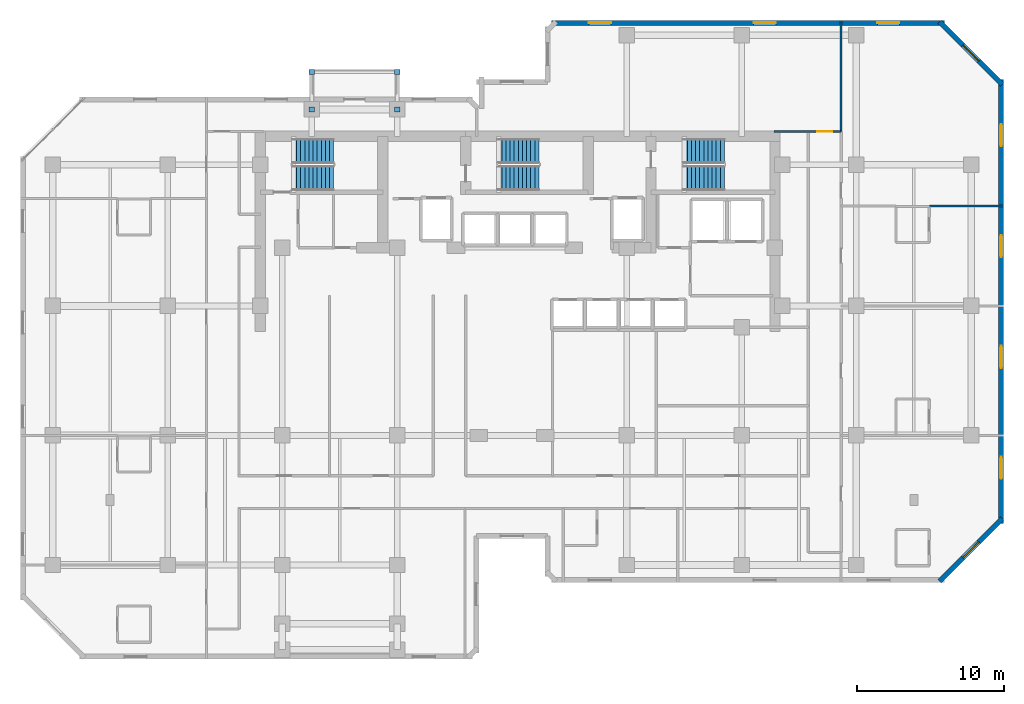
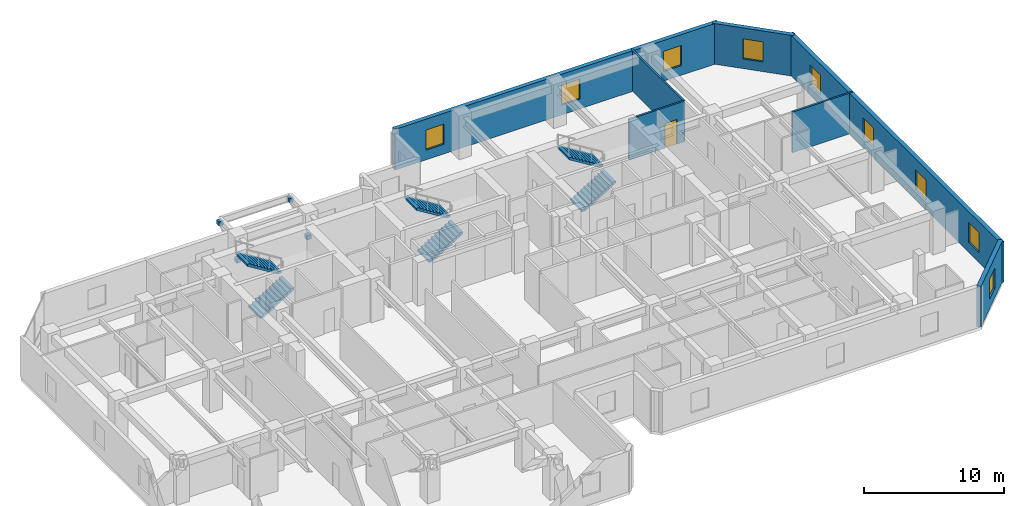
# One storey, part 8 of 9: 9 windows, 7 walls, 6 stair flights, 4 discrete accessories, 1 door, 10 openings, 3 elements without a shape of their own.
"""IFC4 building model written with IfcOpenShell, lengths in metres."""

from ifc_helpers import new_model, si_unit, direction, frame, frame_2d, origin, origin_2d, place, context, subcontext, project, spatial, polyline, rectangle, outline, extrude, material, layer, layer_set, type_object, element, fill, aggregate, save


model = new_model("IFC4")

# Units and contexts
model_context = context("Model", 3, precision=1e-05, world=origin(), true_north=direction((0.0, 1.0)))
body_context = subcontext(model_context, "Body", "Model", "MODEL_VIEW")
ifc_project = project(units=[si_unit("LENGTHUNIT", "METRE"), si_unit("AREAUNIT", "SQUARE_METRE"), si_unit("VOLUMEUNIT", "CUBIC_METRE"), si_unit("PLANEANGLEUNIT", "RADIAN"), si_unit("MASSUNIT", "GRAM", prefix="KILO")], contexts=[model_context])

# Site, building, storey
site_placement = place(None, origin())
site = spatial("IfcSite", under=ifc_project, at=site_placement, CompositionType="ELEMENT")
building_placement = place(site_placement, origin())
building = spatial("IfcBuilding", under=site, at=building_placement, Name="Kestravale Grand Hotel", CompositionType="ELEMENT")
storey_placement = place(building_placement, frame((0.0, 0.0, 176.39990234375)))
storey = spatial("IfcBuildingStorey", under=building, at=storey_placement, Name="L44", CompositionType="ELEMENT", Elevation=176.39990234375)

# Wall, opening, window
ifc_material_1 = material(Name="Precast concrete f'c 45 MPa", Category="concrete")
ifc_layer_1 = layer(ifc_material_1, 0.340087890625)
ifc_layer_set_1 = layer_set([ifc_layer_1], Name="EW-PREC-340")
wall_type_1 = type_object("IfcWallType", Name="EW-PREC-340", PredefinedType="SOLIDWALL", material=ifc_layer_set_1)
wall_1_placement = place(storey_placement, frame((68.051513671875, 10.091796875, 0.0), z_axis=(0.0, 0.0, 1.0), x_axis=(0.707106781187, 0.707106781187, 0.0)))
wall_1 = element("IfcWall", 1, at=wall_1_placement, inside=storey, type_object=wall_type_1, Name="L44 fluted precast facade wall 8", PredefinedType="SOLIDWALL", context=body_context, shape_type="SweptSolid", body=[
    extrude(rectangle(XDim=6.019775390625, YDim=0.340087890625, at=frame_2d((3.009765625, 0.0))), origin(), (0.0, 0.0, 1.0), 3.550048828125),
])
opening_1_placement = place(wall_1_placement, frame((2.260009765625, 0.0, 0.85009765625)))
opening_1 = element("IfcOpeningElement", 2, at=opening_1_placement, cuts=wall_1, Name="Opening W-GUEST-1500", PredefinedType="OPENING", context=body_context, shape_type="SweptSolid", body=[
    extrude(rectangle(XDim=1.5, YDim=1.75, at=frame_2d((0.75, 0.875))), frame((0.0, 0.179931640625, 0.0), z_axis=(0.0, -1.0, 0.0), x_axis=(1.0, 0.0, 0.0)), (0.0, 0.0, 1.0), 0.360107421875),
])
ifc_material_2 = material(Name="Insulated low-E double glazing in aluminium frame", Category="aluminium")
window_type = type_object("IfcWindowType", Name="W-GUEST-1500", PartitioningType="SINGLE_PANEL", PredefinedType="WINDOW", material=ifc_material_2)
window_1_placement = place(opening_1_placement, origin())
window_1 = element("IfcWindow", 3, at=window_1_placement, inside=storey, type_object=window_type, Name="L44 exterior window 8.1", OverallHeight=1.75, OverallWidth=1.5, PartitioningType="SINGLE_PANEL", PredefinedType="WINDOW", context=body_context, shape_type="SweptSolid", body=[
    extrude(rectangle(XDim=1.5, YDim=1.75, at=frame_2d((0.75, 0.875))), frame((0.0, 0.030029296875, 0.0), z_axis=(0.0, -1.0, 0.0), x_axis=(1.0, 0.0, 0.0)), (0.0, 0.0, 1.0), 0.06005859375),
])
fill(opening_1, window_1)

# Wall, openings, windows
wall_2_placement = place(storey_placement, frame((72.22998046875, 14.030029296875, 0.0), z_axis=(0.0, 0.0, 1.0), x_axis=(0.0, 1.0, 0.0)))
wall_2 = element("IfcWall", 4, at=wall_2_placement, inside=storey, type_object=wall_type_1, Name="L44 fluted precast facade wall 9", PredefinedType="SOLIDWALL", context=body_context, shape_type="SweptSolid", body=[
    extrude(rectangle(XDim=30.139892578125, YDim=0.340087890625, at=frame_2d((15.06982421875, 0.0))), origin(), (0.0, 0.0, 1.0), 3.550048828125),
])
opening_2_placement = place(wall_2_placement, frame((3.017578125, 0.0, 0.85009765625)))
opening_2 = element("IfcOpeningElement", 5, at=opening_2_placement, cuts=wall_2, Name="Opening W-GUEST-1500", PredefinedType="OPENING", context=body_context, shape_type="SweptSolid", body=[
    extrude(rectangle(XDim=1.5, YDim=1.75, at=frame_2d((0.75, 0.875))), frame((0.0, 0.179931640625, 0.0), z_axis=(0.0, -1.0, 0.0), x_axis=(1.0, 0.0, 0.0)), (0.0, 0.0, 1.0), 0.360107421875),
])
opening_3_placement = place(wall_2_placement, frame((10.552490234375, 0.0, 0.85009765625)))
opening_3 = element("IfcOpeningElement", 6, at=opening_3_placement, cuts=wall_2, Name="Opening W-GUEST-1500", PredefinedType="OPENING", context=body_context, shape_type="SweptSolid", body=[
    extrude(rectangle(XDim=1.5, YDim=1.75, at=frame_2d((0.75, 0.875))), frame((0.0, 0.179931640625, 0.0), z_axis=(0.0, -1.0, 0.0), x_axis=(1.0, 0.0, 0.0)), (0.0, 0.0, 1.0), 0.360107421875),
])
opening_4_placement = place(wall_2_placement, frame((18.08740234375, 0.0, 0.85009765625)))
opening_4 = element("IfcOpeningElement", 7, at=opening_4_placement, cuts=wall_2, Name="Opening W-GUEST-1500", PredefinedType="OPENING", context=body_context, shape_type="SweptSolid", body=[
    extrude(rectangle(XDim=1.5, YDim=1.75, at=frame_2d((0.75, 0.875))), frame((0.0, 0.179931640625, 0.0), z_axis=(0.0, -1.0, 0.0), x_axis=(1.0, 0.0, 0.0)), (0.0, 0.0, 1.0), 0.360107421875),
])
opening_5_placement = place(wall_2_placement, frame((25.62255859375, 0.0, 0.85009765625)))
opening_5 = element("IfcOpeningElement", 8, at=opening_5_placement, cuts=wall_2, Name="Opening W-GUEST-1500", PredefinedType="OPENING", context=body_context, shape_type="SweptSolid", body=[
    extrude(rectangle(XDim=1.5, YDim=1.75, at=frame_2d((0.75, 0.875))), frame((0.0, 0.179931640625, 0.0), z_axis=(0.0, -1.0, 0.0), x_axis=(1.0, 0.0, 0.0)), (0.0, 0.0, 1.0), 0.360107421875),
])
window_2_placement = place(opening_2_placement, origin())
window_2 = element("IfcWindow", 9, at=window_2_placement, inside=storey, type_object=window_type, Name="L44 exterior window 9.1", OverallHeight=1.75, OverallWidth=1.5, PartitioningType="SINGLE_PANEL", PredefinedType="WINDOW", context=body_context, shape_type="SweptSolid", body=[
    extrude(rectangle(XDim=1.5, YDim=1.75, at=frame_2d((0.75, 0.875))), frame((0.0, 0.030029296875, 0.0), z_axis=(0.0, -1.0, 0.0), x_axis=(1.0, 0.0, 0.0)), (0.0, 0.0, 1.0), 0.06005859375),
])
fill(opening_2, window_2)
window_3_placement = place(opening_3_placement, origin())
window_3 = element("IfcWindow", 10, at=window_3_placement, inside=storey, type_object=window_type, Name="L44 exterior window 9.2", OverallHeight=1.75, OverallWidth=1.5, PartitioningType="SINGLE_PANEL", PredefinedType="WINDOW", context=body_context, shape_type="SweptSolid", body=[
    extrude(rectangle(XDim=1.5, YDim=1.75, at=frame_2d((0.75, 0.875))), frame((0.0, 0.030029296875, 0.0), z_axis=(0.0, -1.0, 0.0), x_axis=(1.0, 0.0, 0.0)), (0.0, 0.0, 1.0), 0.06005859375),
])
fill(opening_3, window_3)
window_4_placement = place(opening_4_placement, origin())
window_4 = element("IfcWindow", 11, at=window_4_placement, inside=storey, type_object=window_type, Name="L44 exterior window 9.3", OverallHeight=1.75, OverallWidth=1.5, PartitioningType="SINGLE_PANEL", PredefinedType="WINDOW", context=body_context, shape_type="SweptSolid", body=[
    extrude(rectangle(XDim=1.5, YDim=1.75, at=frame_2d((0.75, 0.875))), frame((0.0, 0.030029296875, 0.0), z_axis=(0.0, -1.0, 0.0), x_axis=(1.0, 0.0, 0.0)), (0.0, 0.0, 1.0), 0.06005859375),
])
fill(opening_4, window_4)
window_5_placement = place(opening_5_placement, origin())
window_5 = element("IfcWindow", 12, at=window_5_placement, inside=storey, type_object=window_type, Name="L44 exterior window 9.4", OverallHeight=1.75, OverallWidth=1.5, PartitioningType="SINGLE_PANEL", PredefinedType="WINDOW", context=body_context, shape_type="SweptSolid", body=[
    extrude(rectangle(XDim=1.5, YDim=1.75, at=frame_2d((0.75, 0.875))), frame((0.0, 0.030029296875, 0.0), z_axis=(0.0, -1.0, 0.0), x_axis=(1.0, 0.0, 0.0)), (0.0, 0.0, 1.0), 0.06005859375),
])
fill(opening_5, window_5)

# Wall, opening, window
wall_3_placement = place(storey_placement, frame((72.30810546875, 43.8515625, 0.0), z_axis=(0.0, 0.0, 1.0), x_axis=(-0.707106781187, 0.707106781187, 0.0)))
wall_3 = element("IfcWall", 13, at=wall_3_placement, inside=storey, type_object=wall_type_1, Name="L44 fluted precast facade wall 10", PredefinedType="SOLIDWALL", context=body_context, shape_type="SweptSolid", body=[
    extrude(rectangle(XDim=6.019775390625, YDim=0.340087890625, at=frame_2d((3.009765625, 0.0))), origin(), (0.0, 0.0, 1.0), 3.550048828125),
])
opening_6_placement = place(wall_3_placement, frame((2.260009765625, 0.0, 0.85009765625)))
opening_6 = element("IfcOpeningElement", 14, at=opening_6_placement, cuts=wall_3, Name="Opening W-GUEST-1500", PredefinedType="OPENING", context=body_context, shape_type="SweptSolid", body=[
    extrude(rectangle(XDim=1.5, YDim=1.75, at=frame_2d((0.75, 0.875))), frame((0.0, 0.179931640625, 0.0), z_axis=(0.0, -1.0, 0.0), x_axis=(1.0, 0.0, 0.0)), (0.0, 0.0, 1.0), 0.360107421875),
])
window_6_placement = place(opening_6_placement, origin())
window_6 = element("IfcWindow", 15, at=window_6_placement, inside=storey, type_object=window_type, Name="L44 exterior window 10.1", OverallHeight=1.75, OverallWidth=1.5, PartitioningType="SINGLE_PANEL", PredefinedType="WINDOW", context=body_context, shape_type="SweptSolid", body=[
    extrude(rectangle(XDim=1.5, YDim=1.75, at=frame_2d((0.75, 0.875))), frame((0.0, 0.030029296875, 0.0), z_axis=(0.0, -1.0, 0.0), x_axis=(1.0, 0.0, 0.0)), (0.0, 0.0, 1.0), 0.06005859375),
])
fill(opening_6, window_6)

# Wall, openings, windows
wall_4_placement = place(storey_placement, frame((68.3701171875, 48.030029296875, 0.0), z_axis=(0.0, 0.0, 1.0), x_axis=(-1.0, 0.0, 0.0)))
wall_4 = element("IfcWall", 16, at=wall_4_placement, inside=storey, type_object=wall_type_1, Name="L44 fluted precast facade wall 11", PredefinedType="SOLIDWALL", context=body_context, shape_type="SweptSolid", body=[
    extrude(rectangle(XDim=26.690185546875, YDim=0.340087890625, at=frame_2d((13.34521484375, 0.0))), origin(), (0.0, 0.0, 1.0), 3.550048828125),
])
opening_7_placement = place(wall_4_placement, frame((3.04833984375, 0.0, 0.85009765625)))
opening_7 = element("IfcOpeningElement", 17, at=opening_7_placement, cuts=wall_4, Name="Opening W-GUEST-1500", PredefinedType="OPENING", context=body_context, shape_type="SweptSolid", body=[
    extrude(rectangle(XDim=1.5, YDim=1.75, at=frame_2d((0.75, 0.875))), frame((0.0, 0.179931640625, 0.0), z_axis=(0.0, -1.0, 0.0), x_axis=(1.0, 0.0, 0.0)), (0.0, 0.0, 1.0), 0.360107421875),
])
opening_8_placement = place(wall_4_placement, frame((11.445068359375, 0.0, 0.85009765625)))
opening_8 = element("IfcOpeningElement", 18, at=opening_8_placement, cuts=wall_4, Name="Opening W-GUEST-1500", PredefinedType="OPENING", context=body_context, shape_type="SweptSolid", body=[
    extrude(rectangle(XDim=1.5, YDim=1.75, at=frame_2d((0.75, 0.875))), frame((0.0, 0.179931640625, 0.0), z_axis=(0.0, -1.0, 0.0), x_axis=(1.0, 0.0, 0.0)), (0.0, 0.0, 1.0), 0.360107421875),
])
opening_9_placement = place(wall_4_placement, frame((22.6416015625, 0.0, 0.85009765625)))
opening_9 = element("IfcOpeningElement", 19, at=opening_9_placement, cuts=wall_4, Name="Opening W-GUEST-1500", PredefinedType="OPENING", context=body_context, shape_type="SweptSolid", body=[
    extrude(rectangle(XDim=1.5, YDim=1.75, at=frame_2d((0.75, 0.875))), frame((0.0, 0.179931640625, 0.0), z_axis=(0.0, -1.0, 0.0), x_axis=(1.0, 0.0, 0.0)), (0.0, 0.0, 1.0), 0.360107421875),
])
window_7_placement = place(opening_7_placement, origin())
window_7 = element("IfcWindow", 20, at=window_7_placement, inside=storey, type_object=window_type, Name="L44 exterior window 11.1", OverallHeight=1.75, OverallWidth=1.5, PartitioningType="SINGLE_PANEL", PredefinedType="WINDOW", context=body_context, shape_type="SweptSolid", body=[
    extrude(rectangle(XDim=1.5, YDim=1.75, at=frame_2d((0.75, 0.875))), frame((0.0, 0.030029296875, 0.0), z_axis=(0.0, -1.0, 0.0), x_axis=(1.0, 0.0, 0.0)), (0.0, 0.0, 1.0), 0.06005859375),
])
fill(opening_7, window_7)
window_8_placement = place(opening_8_placement, origin())
window_8 = element("IfcWindow", 21, at=window_8_placement, inside=storey, type_object=window_type, Name="L44 exterior window 11.2", OverallHeight=1.75, OverallWidth=1.5, PartitioningType="SINGLE_PANEL", PredefinedType="WINDOW", context=body_context, shape_type="SweptSolid", body=[
    extrude(rectangle(XDim=1.5, YDim=1.75, at=frame_2d((0.75, 0.875))), frame((0.0, 0.030029296875, 0.0), z_axis=(0.0, -1.0, 0.0), x_axis=(1.0, 0.0, 0.0)), (0.0, 0.0, 1.0), 0.06005859375),
])
fill(opening_8, window_8)
window_9_placement = place(opening_9_placement, origin())
window_9 = element("IfcWindow", 22, at=window_9_placement, inside=storey, type_object=window_type, Name="L44 exterior window 11.3", OverallHeight=1.75, OverallWidth=1.5, PartitioningType="SINGLE_PANEL", PredefinedType="WINDOW", context=body_context, shape_type="SweptSolid", body=[
    extrude(rectangle(XDim=1.5, YDim=1.75, at=frame_2d((0.75, 0.875))), frame((0.0, 0.030029296875, 0.0), z_axis=(0.0, -1.0, 0.0), x_axis=(1.0, 0.0, 0.0)), (0.0, 0.0, 1.0), 0.06005859375),
])
fill(opening_9, window_9)

# Wall, opening, door
ifc_material_3 = material(Name="Double-stud STC 52 acoustic demising partition", Category="other")
ifc_layer_2 = layer(ifc_material_3, 0.14990234375)
ifc_layer_set_2 = layer_set([ifc_layer_2], Name="IW-UNIT-150")
wall_type_2 = type_object("IfcWallType", Name="IW-UNIT-150", PredefinedType="PARTITIONING", material=ifc_layer_set_2)
wall_5_placement = place(storey_placement, frame((56.800048828125, 40.64990234375, 0.0), z_axis=(0.0, 0.0, 1.0), x_axis=(1.0, 0.0, 0.0)))
wall_5 = element("IfcWall", 23, at=wall_5_placement, inside=storey, type_object=wall_type_2, Name="W-L44-SE-N", PredefinedType="PARTITIONING", context=body_context, shape_type="SweptSolid", body=[
    extrude(rectangle(XDim=4.56005859375, YDim=0.14990234375, at=frame_2d((2.280029296875, 0.0))), origin(), (0.0, 0.0, 1.0), 3.550048828125),
])
opening_10_placement = place(wall_5_placement, frame((2.949951171875, 0.0, 0.0)))
opening_10 = element("IfcOpeningElement", 24, at=opening_10_placement, cuts=wall_5, Name="Opening D-GUEST-1000", PredefinedType="OPENING", context=body_context, shape_type="SweptSolid", body=[
    extrude(rectangle(XDim=1.0, YDim=2.14990234375, at=frame_2d((0.5, 1.074951171875))), frame((0.0, 0.0849609375, 0.0), z_axis=(0.0, -1.0, 0.0), x_axis=(1.0, 0.0, 0.0)), (0.0, 0.0, 1.0), 0.169921875),
])
ifc_material_4 = material(Name="Accessible walnut veneer hotel entrance fire door", Category="wood")
door_type = type_object("IfcDoorType", Name="D-GUEST-1000", OperationType="NOTDEFINED", PredefinedType="DOOR", material=ifc_material_4)
door_placement = place(opening_10_placement, origin())
door = element("IfcDoor", 25, at=door_placement, inside=storey, type_object=door_type, Name="L44 NE Gallery Door", OperationType="SINGLE_SWING_LEFT", OverallHeight=2.14990234375, OverallWidth=1.0, PredefinedType="DOOR", context=body_context, shape_type="SweptSolid", body=[
    extrude(rectangle(XDim=1.0, YDim=2.14990234375, at=frame_2d((0.5, 1.074951171875))), frame((0.0, 0.02490234375, 0.0), z_axis=(0.0, -1.0, 0.0), x_axis=(1.0, 0.0, 0.0)), (0.0, 0.0, 1.0), 0.050048828125),
])
fill(opening_10, door)

# Walls
wall_6_placement = place(storey_placement, frame((61.360107421875, 40.64990234375, 0.0), z_axis=(0.0, 0.0, 1.0), x_axis=(0.0, 1.0, 0.0)))
element("IfcWall", 26, at=wall_6_placement, inside=storey, type_object=wall_type_2, Name="W-L44-NGE-E", PredefinedType="PARTITIONING", context=body_context, shape_type="SweptSolid", body=[
    extrude(rectangle(XDim=7.530029296875, YDim=0.14990234375, at=frame_2d((3.76513671875, 0.0))), origin(), (0.0, 0.0, 1.0), 3.550048828125),
])
wall_7_placement = place(storey_placement, frame((67.35009765625, 35.60009765625, 0.0), z_axis=(0.0, 0.0, 1.0), x_axis=(1.0, 0.0, 0.0)))
element("IfcWall", 27, at=wall_7_placement, inside=storey, type_object=wall_type_2, Name="W-L44-EW-3", PredefinedType="PARTITIONING", context=body_context, shape_type="SweptSolid", body=[
    extrude(rectangle(XDim=5.02978515625, YDim=0.14990234375, at=frame_2d((2.514892578125, 0.0))), origin(), (0.0, 0.0, 1.0), 3.550048828125),
])

# Stair, stair flights
ifc_material_5 = material(Name="Concrete f'c 45 MPa", Category="concrete")
stair_type = type_object("IfcStairType", Name="ST-CORE-380", PredefinedType="HALF_TURN_STAIR", material=ifc_material_5)
stair_1_placement = place(storey_placement, origin())
stair_1 = element("IfcStair", 28, at=stair_1_placement, inside=storey, type_object=stair_type, Name="L44 ST-1", PredefinedType="HALF_TURN_STAIR")
ifc_material_6 = material(Name="Concrete f'c 45 MPa", Category="concrete")
stair_flight_type = type_object("IfcStairFlightType", Name="STF-CORE-380", PredefinedType="STRAIGHT", material=ifc_material_6)
stair_flight_1_placement = place(storey_placement, frame((24.080078125, 37.489990234375, 0.0), z_axis=(0.0, 0.0, 1.0), x_axis=(1.0, 0.0, 0.0)))
stair_flight_1 = element("IfcStairFlight", 29, at=stair_flight_1_placement, type_object=stair_flight_type, Name="ST-1 flight 1", NumberOfRisers=11, NumberOfTreads=10, PredefinedType="STRAIGHT", RiserHeight=0.172727273, TreadLength=0.28, context=body_context, shape_type="SweptSolid", body=[
    extrude(outline(polyline([(0.0, 0.0), (0.0, 0.172607421875), (0.280029296875, 0.172607421875), (0.280029296875, 0.345458984375), (0.56005859375, 0.345458984375), (0.56005859375, 0.51806640625), (0.840087890625, 0.51806640625), (0.840087890625, 0.69091796875), (1.1201171875, 0.69091796875), (1.1201171875, 0.863525390625), (1.39990234375, 0.863525390625), (1.39990234375, 1.036376953125), (1.679931640625, 1.036376953125), (1.679931640625, 1.208984375), (1.9599609375, 1.208984375), (1.9599609375, 1.3818359375), (2.239990234375, 1.3818359375), (2.239990234375, 1.554443359375), (2.52001953125, 1.554443359375), (2.52001953125, 1.727294921875), (2.800048828125, 1.727294921875), (2.800048828125, 1.89990234375), (2.800048828125, 1.551025390625), (0.285400390625, 0.0), (0.0, 0.0)])), frame((0.0, 0.83984375, 0.0), z_axis=(0.0, -1.0, 0.0), x_axis=(1.0, 0.0, 0.0)), (0.0, 0.0, 1.0), 1.679931640625),
])
stair_flight_2_placement = place(storey_placement, frame((26.8798828125, 39.320068359375, 1.900146484375), z_axis=(0.0, 0.0, 1.0), x_axis=(-1.0, 0.0, 0.0)))
stair_flight_2 = element("IfcStairFlight", 30, at=stair_flight_2_placement, type_object=stair_flight_type, Name="ST-1 flight 2", NumberOfRisers=11, NumberOfTreads=10, PredefinedType="STRAIGHT", RiserHeight=0.172727273, TreadLength=0.28, context=body_context, shape_type="SweptSolid", body=[
    extrude(outline(polyline([(0.0, 0.0), (0.0, 0.172607421875), (0.280029296875, 0.172607421875), (0.280029296875, 0.345458984375), (0.56005859375, 0.345458984375), (0.56005859375, 0.51806640625), (0.840087890625, 0.51806640625), (0.840087890625, 0.69091796875), (1.1201171875, 0.69091796875), (1.1201171875, 0.863525390625), (1.39990234375, 0.863525390625), (1.39990234375, 1.036376953125), (1.679931640625, 1.036376953125), (1.679931640625, 1.208984375), (1.9599609375, 1.208984375), (1.9599609375, 1.3818359375), (2.239990234375, 1.3818359375), (2.239990234375, 1.554443359375), (2.52001953125, 1.554443359375), (2.52001953125, 1.727294921875), (2.800048828125, 1.727294921875), (2.800048828125, 1.89990234375), (2.800048828125, 1.551025390625), (0.285400390625, 0.0), (0.0, 0.0)])), frame((0.0, 0.83984375, 0.0), z_axis=(0.0, -1.0, 0.0), x_axis=(1.0, 0.0, 0.0)), (0.0, 0.0, 1.0), 1.679931640625),
])
aggregate(stair_1, [stair_flight_1, stair_flight_2])

stair_2_placement = place(storey_placement, origin())
stair_2 = element("IfcStair", 31, at=stair_2_placement, inside=storey, type_object=stair_type, Name="L44 ST-2", PredefinedType="HALF_TURN_STAIR")
stair_flight_3_placement = place(storey_placement, frame((38.030029296875, 37.489990234375, 0.0), z_axis=(0.0, 0.0, 1.0), x_axis=(1.0, 0.0, 0.0)))
stair_flight_3 = element("IfcStairFlight", 32, at=stair_flight_3_placement, type_object=stair_flight_type, Name="ST-2 flight 1", NumberOfRisers=11, NumberOfTreads=10, PredefinedType="STRAIGHT", RiserHeight=0.172727273, TreadLength=0.28, context=body_context, shape_type="SweptSolid", body=[
    extrude(outline(polyline([(0.0, 0.0), (0.0, 0.172607421875), (0.280029296875, 0.172607421875), (0.280029296875, 0.345458984375), (0.56005859375, 0.345458984375), (0.56005859375, 0.51806640625), (0.840087890625, 0.51806640625), (0.840087890625, 0.69091796875), (1.1201171875, 0.69091796875), (1.1201171875, 0.863525390625), (1.39990234375, 0.863525390625), (1.39990234375, 1.036376953125), (1.679931640625, 1.036376953125), (1.679931640625, 1.208984375), (1.9599609375, 1.208984375), (1.9599609375, 1.3818359375), (2.239990234375, 1.3818359375), (2.239990234375, 1.554443359375), (2.52001953125, 1.554443359375), (2.52001953125, 1.727294921875), (2.800048828125, 1.727294921875), (2.800048828125, 1.89990234375), (2.800048828125, 1.551025390625), (0.285400390625, 0.0), (0.0, 0.0)])), frame((0.0, 0.83984375, 0.0), z_axis=(0.0, -1.0, 0.0), x_axis=(1.0, 0.0, 0.0)), (0.0, 0.0, 1.0), 1.679931640625),
])
stair_flight_4_placement = place(storey_placement, frame((40.830078125, 39.320068359375, 1.900146484375), z_axis=(0.0, 0.0, 1.0), x_axis=(-1.0, 0.0, 0.0)))
stair_flight_4 = element("IfcStairFlight", 33, at=stair_flight_4_placement, type_object=stair_flight_type, Name="ST-2 flight 2", NumberOfRisers=11, NumberOfTreads=10, PredefinedType="STRAIGHT", RiserHeight=0.172727273, TreadLength=0.28, context=body_context, shape_type="SweptSolid", body=[
    extrude(outline(polyline([(0.0, 0.0), (0.0, 0.172607421875), (0.280029296875, 0.172607421875), (0.280029296875, 0.345458984375), (0.56005859375, 0.345458984375), (0.56005859375, 0.51806640625), (0.840087890625, 0.51806640625), (0.840087890625, 0.69091796875), (1.1201171875, 0.69091796875), (1.1201171875, 0.863525390625), (1.39990234375, 0.863525390625), (1.39990234375, 1.036376953125), (1.679931640625, 1.036376953125), (1.679931640625, 1.208984375), (1.9599609375, 1.208984375), (1.9599609375, 1.3818359375), (2.239990234375, 1.3818359375), (2.239990234375, 1.554443359375), (2.52001953125, 1.554443359375), (2.52001953125, 1.727294921875), (2.800048828125, 1.727294921875), (2.800048828125, 1.89990234375), (2.800048828125, 1.551025390625), (0.285400390625, 0.0), (0.0, 0.0)])), frame((0.0, 0.83984375, 0.0), z_axis=(0.0, -1.0, 0.0), x_axis=(1.0, 0.0, 0.0)), (0.0, 0.0, 1.0), 1.679931640625),
])
aggregate(stair_2, [stair_flight_3, stair_flight_4])

stair_3_placement = place(storey_placement, origin())
stair_3 = element("IfcStair", 34, at=stair_3_placement, inside=storey, type_object=stair_type, Name="L44 ST-3", PredefinedType="HALF_TURN_STAIR")
stair_flight_5_placement = place(storey_placement, frame((50.6298828125, 37.489990234375, 0.0), z_axis=(0.0, 0.0, 1.0), x_axis=(1.0, 0.0, 0.0)))
stair_flight_5 = element("IfcStairFlight", 35, at=stair_flight_5_placement, type_object=stair_flight_type, Name="ST-3 flight 1", NumberOfRisers=11, NumberOfTreads=10, PredefinedType="STRAIGHT", RiserHeight=0.172727273, TreadLength=0.28, context=body_context, shape_type="SweptSolid", body=[
    extrude(outline(polyline([(0.0, 0.0), (0.0, 0.172607421875), (0.280029296875, 0.172607421875), (0.280029296875, 0.345458984375), (0.56005859375, 0.345458984375), (0.56005859375, 0.51806640625), (0.840087890625, 0.51806640625), (0.840087890625, 0.69091796875), (1.1201171875, 0.69091796875), (1.1201171875, 0.863525390625), (1.39990234375, 0.863525390625), (1.39990234375, 1.036376953125), (1.679931640625, 1.036376953125), (1.679931640625, 1.208984375), (1.9599609375, 1.208984375), (1.9599609375, 1.3818359375), (2.239990234375, 1.3818359375), (2.239990234375, 1.554443359375), (2.52001953125, 1.554443359375), (2.52001953125, 1.727294921875), (2.800048828125, 1.727294921875), (2.800048828125, 1.89990234375), (2.800048828125, 1.551025390625), (0.285400390625, 0.0), (0.0, 0.0)])), frame((0.0, 0.83984375, 0.0), z_axis=(0.0, -1.0, 0.0), x_axis=(1.0, 0.0, 0.0)), (0.0, 0.0, 1.0), 1.679931640625),
])
stair_flight_6_placement = place(storey_placement, frame((53.429931640625, 39.320068359375, 1.900146484375), z_axis=(0.0, 0.0, 1.0), x_axis=(-1.0, 0.0, 0.0)))
stair_flight_6 = element("IfcStairFlight", 36, at=stair_flight_6_placement, type_object=stair_flight_type, Name="ST-3 flight 2", NumberOfRisers=11, NumberOfTreads=10, PredefinedType="STRAIGHT", RiserHeight=0.172727273, TreadLength=0.28, context=body_context, shape_type="SweptSolid", body=[
    extrude(outline(polyline([(0.0, 0.0), (0.0, 0.172607421875), (0.280029296875, 0.172607421875), (0.280029296875, 0.345458984375), (0.56005859375, 0.345458984375), (0.56005859375, 0.51806640625), (0.840087890625, 0.51806640625), (0.840087890625, 0.69091796875), (1.1201171875, 0.69091796875), (1.1201171875, 0.863525390625), (1.39990234375, 0.863525390625), (1.39990234375, 1.036376953125), (1.679931640625, 1.036376953125), (1.679931640625, 1.208984375), (1.9599609375, 1.208984375), (1.9599609375, 1.3818359375), (2.239990234375, 1.3818359375), (2.239990234375, 1.554443359375), (2.52001953125, 1.554443359375), (2.52001953125, 1.727294921875), (2.800048828125, 1.727294921875), (2.800048828125, 1.89990234375), (2.800048828125, 1.551025390625), (0.285400390625, 0.0), (0.0, 0.0)])), frame((0.0, 0.83984375, 0.0), z_axis=(0.0, -1.0, 0.0), x_axis=(1.0, 0.0, 0.0)), (0.0, 0.0, 1.0), 1.679931640625),
])
aggregate(stair_3, [stair_flight_5, stair_flight_6])

# Discrete accessories
ifc_material_7 = material(Name="Steel ASTM A572 Grade 50 hot-dip galvanised bracket", Category="steel")
discrete_accessory_type = type_object("IfcDiscreteAccessoryType", Name="ACC-BRK-STL", PredefinedType="BRACKET", material=ifc_material_7)
for number, where, z_axis, x_axis, name in (
    (37, (25.39990234375, 42.14990234375, 1.19384765625), (0.0, 0.0, 1.0), (1.0, 0.0, 0.0), "L45 terrace strut column bracket 1"),
    (38, (25.39990234375, 44.699951171875, 2.89404296875), (0.0, 0.0, 1.0), (1.0, 0.0, 0.0), "L45 terrace strut beam bracket 1"),
    (39, (31.199951171875, 42.14990234375, 1.19384765625), (0.0, 0.0, 1.0), (1.0, 0.0, 0.0), "L45 terrace strut column bracket 2"),
    (40, (31.199951171875, 44.699951171875, 2.89404296875), (0.0, 0.0, 1.0), (1.0, 0.0, 0.0), "L45 terrace strut beam bracket 2"),
):
    element("IfcDiscreteAccessory", number, at=place(storey_placement, frame(where, z_axis=z_axis, x_axis=x_axis)), inside=storey, type_object=discrete_accessory_type, Name=name, PredefinedType="BRACKET", context=body_context, shape_type="SweptSolid", body=[
        extrude(rectangle(XDim=0.360107421875, YDim=0.360107421875, at=origin_2d()), origin(), (0.0, 0.0, 1.0), 0.360107421875),
    ])

save(model, "model.ifc")
